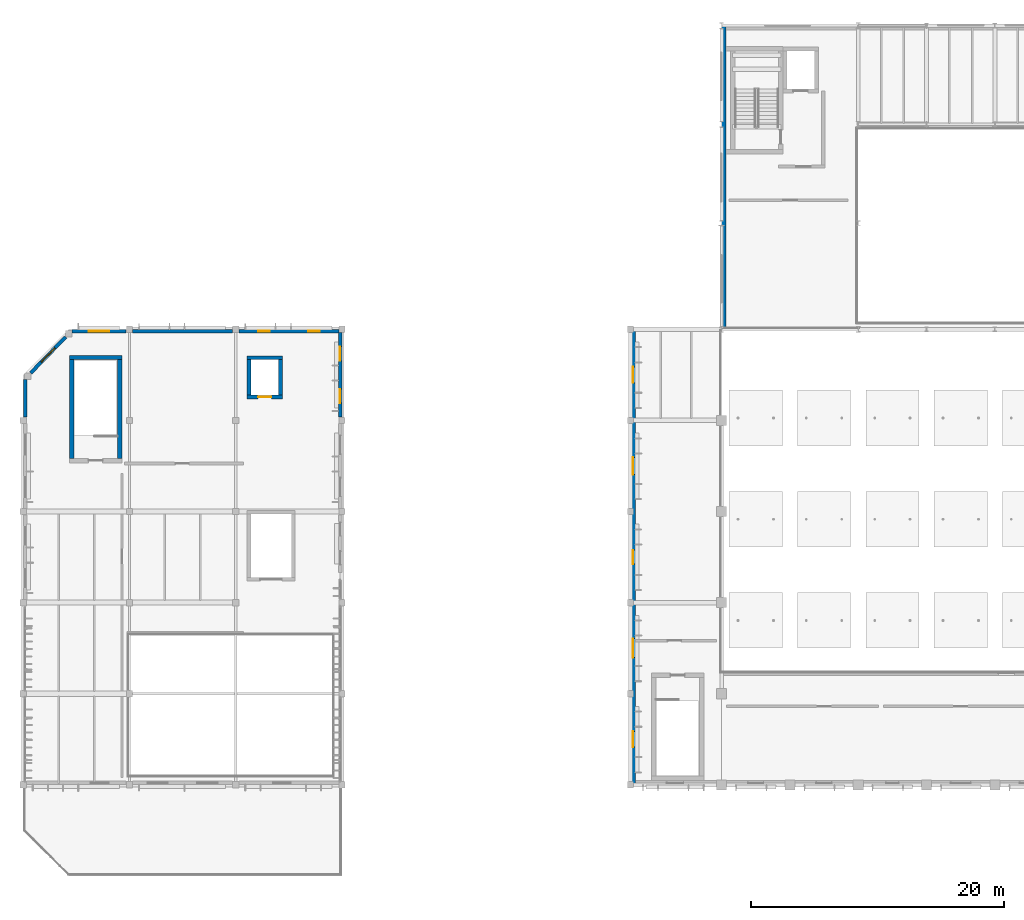
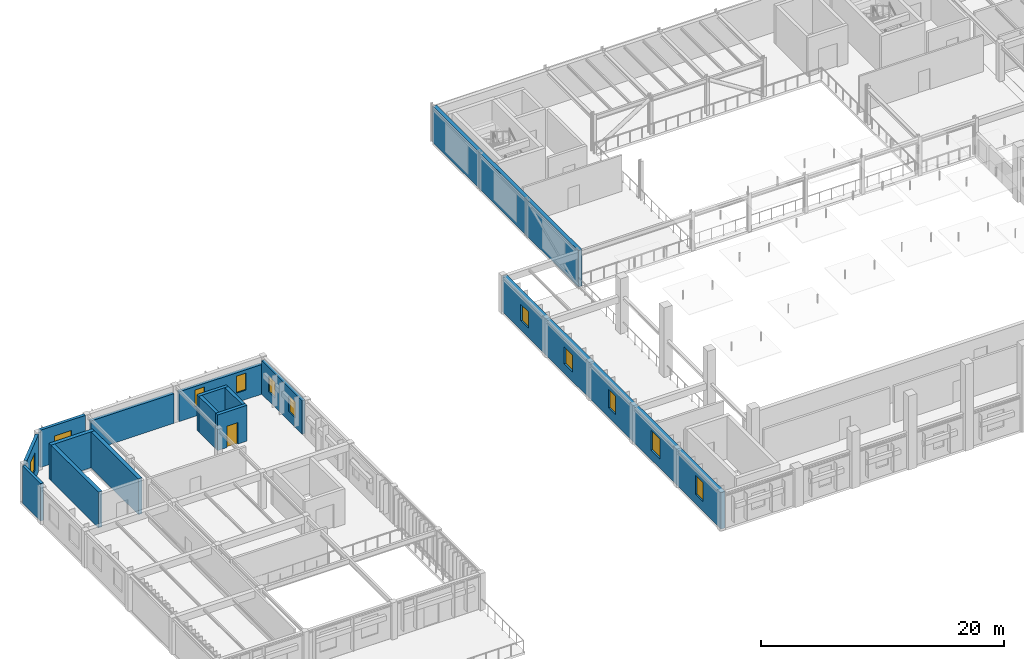
# One storey, part 20 of 44: 15 walls, 11 windows, 1 door, 12 openings.
"""IFC4 building model written with IfcOpenShell, lengths in metres."""

from ifc_helpers import new_model, si_unit, direction, frame, frame_2d, origin, place, context, subcontext, project, spatial, rectangle, extrude, material, layer, layer_set, type_object, element, fill, save


model = new_model("IFC4")

# Units and contexts
model_context = context("Model", 3, precision=1e-05, world=origin(), true_north=direction((0.0, 1.0)))
body_context = subcontext(model_context, "Body", "Model", "MODEL_VIEW")
ifc_project = project(units=[si_unit("LENGTHUNIT", "METRE"), si_unit("AREAUNIT", "SQUARE_METRE"), si_unit("VOLUMEUNIT", "CUBIC_METRE"), si_unit("PLANEANGLEUNIT", "RADIAN"), si_unit("MASSUNIT", "GRAM", prefix="KILO")], contexts=[model_context])

# Site, building, storey
site_placement = place(None, origin())
site = spatial("IfcSite", under=ifc_project, at=site_placement, CompositionType="ELEMENT")
building_placement = place(site_placement, origin())
building = spatial("IfcBuilding", under=site, at=building_placement, Name="Tazoul Stagehouse", CompositionType="ELEMENT")
storey_placement = place(building_placement, frame((0.0, 0.0, 13.199951171875)))
storey = spatial("IfcBuildingStorey", under=building, at=storey_placement, Name="L03", CompositionType="ELEMENT", Elevation=13.199951171875)

# Wall
ifc_material_1 = material(Name="Ochre Fired Clay Facing Brick Masonry", Category="masonry")
ifc_layer_1 = layer(ifc_material_1, 0.360107421875, Name="Ochre Fired Clay Facing Brick Masonry")
ifc_layer_set_1 = layer_set([ifc_layer_1], Name="Ochre Fired Clay Facing Brick Masonry")
wall_type_1 = type_object("IfcWallType", Name="Acoustic Stagehouse Masonry-Concrete Cavity Wall 360", PredefinedType="SOLIDWALL", material=ifc_layer_set_1)
wall_1_placement = place(storey_placement, frame((57.780029296875, 87.800048828125, 0.0), z_axis=(0.0, 0.0, 1.0), x_axis=(0.0, 1.0, 0.0)))
element("IfcWall", 1, at=wall_1_placement, inside=storey, type_object=wall_type_1, Name="L03 Wall EW-360 (WALL-V2-W-L03-S1)", PredefinedType="SOLIDWALL", context=body_context, shape_type="SweptSolid", body=[
    extrude(rectangle(XDim=24.0, YDim=0.360107421875, at=frame_2d((12.0, 0.0))), origin(), (0.0, 0.0, 1.0), 3.650146484375),
])

# Wall, openings, windows
ifc_material_2 = material(Name="Concrete C40/50", Category="concrete")
ifc_layer_2 = layer(ifc_material_2, 0.3798828125, Name="Concrete C40/50")
ifc_layer_set_2 = layer_set([ifc_layer_2], Name="Concrete C40/50")
wall_type_2 = type_object("IfcWallType", Name="Auditorium Shell Acoustic Perimeter Wall 380", PredefinedType="SOLIDWALL", material=ifc_layer_set_2)
wall_2_placement = place(storey_placement, frame((50.590087890625, 51.800048828125, 0.0), z_axis=(0.0, 0.0, 1.0), x_axis=(0.0, 1.0, 0.0)))
wall_2 = element("IfcWall", 2, at=wall_2_placement, inside=storey, type_object=wall_type_2, Name="L03 Wall EW-380 (WALL-V1-W-L03-S1)", PredefinedType="SOLIDWALL", context=body_context, shape_type="SweptSolid", body=[
    extrude(rectangle(XDim=36.0, YDim=0.3798828125, at=frame_2d((18.0, 0.0))), origin(), (0.0, 0.0, 1.0), 3.650146484375),
])
opening_1_placement = place(wall_2_placement, frame((2.97509765625, 0.0, 0.949951171875)))
opening_1 = element("IfcOpeningElement", 3, at=opening_1_placement, cuts=wall_2, Name="Opening WN-28", PredefinedType="OPENING", context=body_context, shape_type="SweptSolid", body=[
    extrude(rectangle(XDim=1.25, YDim=1.89990234375, at=frame_2d((0.625, 0.949951171875))), frame((0.0, 0.2099609375, 0.0), z_axis=(0.0, -1.0, 0.0), x_axis=(1.0, 0.0, 0.0)), (0.0, 0.0, 1.0), 0.419921875),
])
opening_2_placement = place(wall_2_placement, frame((10.050048828125, 0.0, 0.949951171875)))
opening_2 = element("IfcOpeningElement", 4, at=opening_2_placement, cuts=wall_2, Name="Opening WN-78", PredefinedType="OPENING", context=body_context, shape_type="SweptSolid", body=[
    extrude(rectangle(XDim=1.5, YDim=2.0, at=frame_2d((0.75, 1.0))), frame((0.0, 0.2099609375, 0.0), z_axis=(0.0, -1.0, 0.0), x_axis=(1.0, 0.0, 0.0)), (0.0, 0.0, 1.0), 0.419921875),
])
opening_3_placement = place(wall_2_placement, frame((17.445068359375, 0.0, 0.949951171875)))
opening_3 = element("IfcOpeningElement", 5, at=opening_3_placement, cuts=wall_2, Name="Opening WN-65", PredefinedType="OPENING", context=body_context, shape_type="SweptSolid", body=[
    extrude(rectangle(XDim=1.110107421875, YDim=1.85009765625, at=frame_2d((0.55517578125, 0.925048828125))), frame((0.0, 0.2099609375, 0.0), z_axis=(0.0, -1.0, 0.0), x_axis=(1.0, 0.0, 0.0)), (0.0, 0.0, 1.0), 0.419921875),
])
opening_4_placement = place(wall_2_placement, frame((24.52490234375, 0.0, 0.949951171875)))
opening_4 = element("IfcOpeningElement", 6, at=opening_4_placement, cuts=wall_2, Name="Opening WN-48", PredefinedType="OPENING", context=body_context, shape_type="SweptSolid", body=[
    extrude(rectangle(XDim=1.35009765625, YDim=1.699951171875, at=frame_2d((0.675048828125, 0.85009765625))), frame((0.0, 0.2099609375, 0.0), z_axis=(0.0, -1.0, 0.0), x_axis=(1.0, 0.0, 0.0)), (0.0, 0.0, 1.0), 0.419921875),
])
opening_5_placement = place(wall_2_placement, frame((31.77001953125, 0.0, 0.949951171875)))
opening_5 = element("IfcOpeningElement", 7, at=opening_5_placement, cuts=wall_2, Name="Opening WN-45", PredefinedType="OPENING", context=body_context, shape_type="SweptSolid", body=[
    extrude(rectangle(XDim=1.260009765625, YDim=1.64990234375, at=frame_2d((0.6298828125, 0.824951171875))), frame((0.0, 0.2099609375, 0.0), z_axis=(0.0, -1.0, 0.0), x_axis=(1.0, 0.0, 0.0)), (0.0, 0.0, 1.0), 0.419921875),
])
ifc_material_3 = material(Name="Double Low-E Acoustic Laminated Glass", Category="glass")
window_type_1 = type_object("IfcWindowType", Name="Architectural Acoustic Facade Window 1110x1850", PartitioningType="SINGLE_PANEL", PredefinedType="WINDOW", material=ifc_material_3)
window_1_placement = place(opening_3_placement, origin())
window_1 = element("IfcWindow", 8, at=window_1_placement, inside=storey, type_object=window_type_1, Name="L03 Window WN-65 (WALL-V1-W-L03-S1-B3-W1)", OverallHeight=1.85009765625, OverallWidth=1.110107421875, PartitioningType="SINGLE_PANEL", PredefinedType="WINDOW", context=body_context, shape_type="SweptSolid", body=[
    extrude(rectangle(XDim=1.110107421875, YDim=1.85009765625, at=frame_2d((0.55517578125, 0.925048828125))), frame((0.0, 0.030029296875, 0.0), z_axis=(0.0, -1.0, 0.0), x_axis=(1.0, 0.0, 0.0)), (0.0, 0.0, 1.0), 0.06005859375),
])
fill(opening_3, window_1)
window_type_2 = type_object("IfcWindowType", Name="Architectural Acoustic Facade Window 1260x1650", PartitioningType="SINGLE_PANEL", PredefinedType="WINDOW", material=ifc_material_3)
window_2_placement = place(opening_5_placement, origin())
window_2 = element("IfcWindow", 9, at=window_2_placement, inside=storey, type_object=window_type_2, Name="L03 Window WN-45 (WALL-V1-W-L03-S1-B5-W1)", OverallHeight=1.64990234375, OverallWidth=1.260009765625, PartitioningType="SINGLE_PANEL", PredefinedType="WINDOW", context=body_context, shape_type="SweptSolid", body=[
    extrude(rectangle(XDim=1.260009765625, YDim=1.64990234375, at=frame_2d((0.6298828125, 0.824951171875))), frame((0.0, 0.030029296875, 0.0), z_axis=(0.0, -1.0, 0.0), x_axis=(1.0, 0.0, 0.0)), (0.0, 0.0, 1.0), 0.06005859375),
])
fill(opening_5, window_2)
window_type_3 = type_object("IfcWindowType", Name="Architectural Acoustic Facade Window 1350x1700", PartitioningType="SINGLE_PANEL", PredefinedType="WINDOW", material=ifc_material_3)
window_3_placement = place(opening_4_placement, origin())
window_3 = element("IfcWindow", 10, at=window_3_placement, inside=storey, type_object=window_type_3, Name="L03 Window WN-48 (WALL-V1-W-L03-S1-B4-W1)", OverallHeight=1.699951171875, OverallWidth=1.35009765625, PartitioningType="SINGLE_PANEL", PredefinedType="WINDOW", context=body_context, shape_type="SweptSolid", body=[
    extrude(rectangle(XDim=1.35009765625, YDim=1.699951171875, at=frame_2d((0.675048828125, 0.85009765625))), frame((0.0, 0.030029296875, 0.0), z_axis=(0.0, -1.0, 0.0), x_axis=(1.0, 0.0, 0.0)), (0.0, 0.0, 1.0), 0.06005859375),
])
fill(opening_4, window_3)
window_type_4 = type_object("IfcWindowType", Name="Architectural Acoustic Facade Window 1500x2000", PartitioningType="SINGLE_PANEL", PredefinedType="WINDOW", material=ifc_material_3)
window_4_placement = place(opening_2_placement, origin())
window_4 = element("IfcWindow", 11, at=window_4_placement, inside=storey, type_object=window_type_4, Name="L03 Window WN-78 (WALL-V1-W-L03-S1-B2-W1)", OverallHeight=2.0, OverallWidth=1.5, PartitioningType="SINGLE_PANEL", PredefinedType="WINDOW", context=body_context, shape_type="SweptSolid", body=[
    extrude(rectangle(XDim=1.5, YDim=2.0, at=frame_2d((0.75, 1.0))), frame((0.0, 0.030029296875, 0.0), z_axis=(0.0, -1.0, 0.0), x_axis=(1.0, 0.0, 0.0)), (0.0, 0.0, 1.0), 0.06005859375),
])
fill(opening_2, window_4)
window_type_5 = type_object("IfcWindowType", Name="Black-Box Studio Window 1250x1900", PartitioningType="SINGLE_PANEL", PredefinedType="WINDOW", material=ifc_material_3)
window_5_placement = place(opening_1_placement, origin())
window_5 = element("IfcWindow", 12, at=window_5_placement, inside=storey, type_object=window_type_5, Name="L03 Window WN-28 (WALL-V1-W-L03-S1-B1-W1)", OverallHeight=1.89990234375, OverallWidth=1.25, PartitioningType="SINGLE_PANEL", PredefinedType="WINDOW", context=body_context, shape_type="SweptSolid", body=[
    extrude(rectangle(XDim=1.25, YDim=1.89990234375, at=frame_2d((0.625, 0.949951171875))), frame((0.0, 0.030029296875, 0.0), z_axis=(0.0, -1.0, 0.0), x_axis=(1.0, 0.0, 0.0)), (0.0, 0.0, 1.0), 0.06005859375),
])
fill(opening_1, window_5)

# Walls
ifc_layer_3 = layer(ifc_material_2, 0.35009765625, Name="Concrete C40/50")
ifc_layer_set_3 = layer_set([ifc_layer_3], Name="Concrete C40/50")
wall_type_3 = type_object("IfcWallType", Name="Core Shear Wall 350", PredefinedType="SOLIDWALL", material=ifc_layer_set_3)
wall_3_placement = place(storey_placement, frame((6.22509765625, 77.60009765625, 0.0), z_axis=(0.0, 0.0, 1.0), x_axis=(0.0, 1.0, 0.0)))
element("IfcWall", 13, at=wall_3_placement, inside=storey, type_object=wall_type_3, Name="L03 Core Wall CW-350 (SHF-ST-06-west)", PredefinedType="SOLIDWALL", context=body_context, shape_type="SweptSolid", body=[
    extrude(rectangle(XDim=7.7998046875, YDim=0.35009765625, at=frame_2d((3.89990234375, 0.0))), origin(), (0.0, 0.0, 1.0), 3.60009765625),
])
wall_4_placement = place(storey_placement, frame((6.050048828125, 85.574951171875, 0.0), z_axis=(0.0, 0.0, 1.0), x_axis=(1.0, 0.0, 0.0)))
element("IfcWall", 14, at=wall_4_placement, inside=storey, type_object=wall_type_3, Name="L03 Core Wall CW-350 (SHF-ST-06-north)", PredefinedType="SOLIDWALL", context=body_context, shape_type="SweptSolid", body=[
    extrude(rectangle(XDim=4.14990234375, YDim=0.35009765625, at=frame_2d((2.074951171875, 0.0))), origin(), (0.0, 0.0, 1.0), 3.60009765625),
])
wall_5_placement = place(storey_placement, frame((10.02490234375, 85.39990234375, 0.0), z_axis=(0.0, 0.0, 1.0), x_axis=(0.0, -1.0, 0.0)))
element("IfcWall", 15, at=wall_5_placement, inside=storey, type_object=wall_type_3, Name="L03 Core Wall CW-350 (SHF-ST-06-east)", PredefinedType="SOLIDWALL", context=body_context, shape_type="SweptSolid", body=[
    extrude(rectangle(XDim=7.7998046875, YDim=0.35009765625, at=frame_2d((3.89990234375, 0.0))), origin(), (0.0, 0.0, 1.0), 3.60009765625),
])
ifc_material_4 = material(Name="Precast concrete C40/50", Category="concrete")
ifc_layer_4 = layer(ifc_material_4, 0.280029296875, Name="Precast concrete C40/50")
ifc_layer_set_4 = layer_set([ifc_layer_4], Name="Precast concrete C40/50")
wall_type_4 = type_object("IfcWallType", Name="Insulated Precast Acoustic Cladding Wall 280", PredefinedType="SOLIDWALL", material=ifc_layer_set_4)
wall_6_placement = place(storey_placement, frame((2.550048828125, 80.85498046875, 0.0), z_axis=(0.0, 0.0, 1.0), x_axis=(0.0, 1.0, 0.0)))
element("IfcWall", 16, at=wall_6_placement, inside=storey, type_object=wall_type_4, Name="L03 Wall EW-280 (WALL-V6-W2-L03-S3)", PredefinedType="SOLIDWALL", context=body_context, shape_type="SweptSolid", body=[
    extrude(rectangle(XDim=2.989990234375, YDim=0.280029296875, at=frame_2d((1.4951171875, 0.0))), origin(), (0.0, 0.0, 1.0), 3.75),
])

# Wall, opening, window
wall_7_placement = place(storey_placement, frame((5.75048828125, 87.192626953125, 0.0), z_axis=(0.0, 0.0, 1.0), x_axis=(-0.696365862768, -0.71768696879, 0.0)))
wall_7 = element("IfcWall", 17, at=wall_7_placement, inside=storey, type_object=wall_type_4, Name="L03 Wall EW-280 (WALL-V6-NWCH-L03-S1)", PredefinedType="SOLIDWALL", context=body_context, shape_type="SweptSolid", body=[
    extrude(rectangle(XDim=3.950439453125, YDim=0.280029296875, at=frame_2d((1.97509765625, 0.0))), origin(), (0.0, 0.0, 1.0), 3.75),
])
opening_6_placement = place(wall_7_placement, frame((1.2001953125, 0.0, 0.949951171875)))
opening_6 = element("IfcOpeningElement", 18, at=opening_6_placement, cuts=wall_7, Name="Opening WN-29", PredefinedType="OPENING", context=body_context, shape_type="SweptSolid", body=[
    extrude(rectangle(XDim=1.550048828125, YDim=1.800048828125, at=frame_2d((0.77490234375, 0.89990234375))), frame((0.0, 0.159912109375, 0.0), z_axis=(0.0, -1.0, 0.0), x_axis=(1.0, 0.0, 0.0)), (0.0, 0.0, 1.0), 0.320068359375),
])
window_type_6 = type_object("IfcWindowType", Name="Black-Box Studio Window 1550x1800", PartitioningType="SINGLE_PANEL", PredefinedType="WINDOW", material=ifc_material_3)
window_6_placement = place(opening_6_placement, origin())
window_6 = element("IfcWindow", 19, at=window_6_placement, inside=storey, type_object=window_type_6, Name="L03 Window WN-29 (WALL-V6-NWCH-L03-S1-W1)", OverallHeight=1.800048828125, OverallWidth=1.550048828125, PartitioningType="SINGLE_PANEL", PredefinedType="WINDOW", context=body_context, shape_type="SweptSolid", body=[
    extrude(rectangle(XDim=1.550048828125, YDim=1.800048828125, at=frame_2d((0.77490234375, 0.89990234375))), frame((0.0, 0.030029296875, 0.0), z_axis=(0.0, -1.0, 0.0), x_axis=(1.0, 0.0, 0.0)), (0.0, 0.0, 1.0), 0.06005859375),
])
fill(opening_6, window_6)

wall_8_placement = place(storey_placement, frame((6.2548828125, 87.64990234375, 0.0), z_axis=(0.0, 0.0, 1.0), x_axis=(1.0, 0.0, 0.0)))
wall_8 = element("IfcWall", 20, at=wall_8_placement, inside=storey, type_object=wall_type_4, Name="L03 Wall EW-280 (WALL-V6-N-L03-S1)", PredefinedType="SOLIDWALL", context=body_context, shape_type="SweptSolid", body=[
    extrude(rectangle(XDim=4.2900390625, YDim=0.280029296875, at=frame_2d((2.14501953125, 0.0))), origin(), (0.0, 0.0, 1.0), 3.75),
])
opening_7_placement = place(wall_8_placement, frame((1.3349609375, 0.0, 0.949951171875)))
opening_7 = element("IfcOpeningElement", 21, at=opening_7_placement, cuts=wall_8, Name="Opening WN-57", PredefinedType="OPENING", context=body_context, shape_type="SweptSolid", body=[
    extrude(rectangle(XDim=1.6201171875, YDim=1.75, at=frame_2d((0.81005859375, 0.875))), frame((0.0, 0.159912109375, 0.0), z_axis=(0.0, -1.0, 0.0), x_axis=(1.0, 0.0, 0.0)), (0.0, 0.0, 1.0), 0.320068359375),
])
window_type_7 = type_object("IfcWindowType", Name="Architectural Acoustic Facade Window 1620x1750", PartitioningType="SINGLE_PANEL", PredefinedType="WINDOW", material=ifc_material_3)
window_7_placement = place(opening_7_placement, origin())
window_7 = element("IfcWindow", 22, at=window_7_placement, inside=storey, type_object=window_type_7, Name="L03 Window WN-57 (WALL-V6-N-L03-S1-W1)", OverallHeight=1.75, OverallWidth=1.6201171875, PartitioningType="SINGLE_PANEL", PredefinedType="WINDOW", context=body_context, shape_type="SweptSolid", body=[
    extrude(rectangle(XDim=1.6201171875, YDim=1.75, at=frame_2d((0.81005859375, 0.875))), frame((0.0, 0.030029296875, 0.0), z_axis=(0.0, -1.0, 0.0), x_axis=(1.0, 0.0, 0.0)), (0.0, 0.0, 1.0), 0.06005859375),
])
fill(opening_7, window_7)

# Wall
wall_9_placement = place(storey_placement, frame((11.054931640625, 87.64990234375, 0.0), z_axis=(0.0, 0.0, 1.0), x_axis=(1.0, 0.0, 0.0)))
element("IfcWall", 23, at=wall_9_placement, inside=storey, type_object=wall_type_4, Name="L03 Wall EW-280 (WALL-V6-N-L03-S2)", PredefinedType="SOLIDWALL", context=body_context, shape_type="SweptSolid", body=[
    extrude(rectangle(XDim=7.89013671875, YDim=0.280029296875, at=frame_2d((3.945068359375, 0.0))), origin(), (0.0, 0.0, 1.0), 2.9931640625),
])

# Wall, openings, windows
wall_10_placement = place(storey_placement, frame((19.455078125, 87.64990234375, 0.0), z_axis=(0.0, 0.0, 1.0), x_axis=(1.0, 0.0, 0.0)))
wall_10 = element("IfcWall", 24, at=wall_10_placement, inside=storey, type_object=wall_type_4, Name="L03 Wall EW-280 (WALL-V6-N-L03-S3)", PredefinedType="SOLIDWALL", context=body_context, shape_type="SweptSolid", body=[
    extrude(rectangle(XDim=7.889892578125, YDim=0.280029296875, at=frame_2d((3.94482421875, 0.0))), origin(), (0.0, 0.0, 1.0), 2.9931640625),
])
opening_8_placement = place(wall_10_placement, frame((1.5224609375, 0.0, 0.949951171875)))
opening_8 = element("IfcOpeningElement", 25, at=opening_8_placement, cuts=wall_10, Name="Opening WN-32", PredefinedType="OPENING", context=body_context, shape_type="SweptSolid", body=[
    extrude(rectangle(XDim=0.89990234375, YDim=1.699951171875, at=frame_2d((0.449951171875, 0.85009765625))), frame((0.0, 0.159912109375, 0.0), z_axis=(0.0, -1.0, 0.0), x_axis=(1.0, 0.0, 0.0)), (0.0, 0.0, 1.0), 0.320068359375),
])
opening_9_placement = place(wall_10_placement, frame((5.467529296875, 0.0, 0.949951171875)))
opening_9 = element("IfcOpeningElement", 26, at=opening_9_placement, cuts=wall_10, Name="Opening WN-32", PredefinedType="OPENING", context=body_context, shape_type="SweptSolid", body=[
    extrude(rectangle(XDim=0.89990234375, YDim=1.699951171875, at=frame_2d((0.449951171875, 0.85009765625))), frame((0.0, 0.159912109375, 0.0), z_axis=(0.0, -1.0, 0.0), x_axis=(1.0, 0.0, 0.0)), (0.0, 0.0, 1.0), 0.320068359375),
])
window_type_8 = type_object("IfcWindowType", Name="Auditorium Tympanum Slot Light 900x1700", PartitioningType="SINGLE_PANEL", PredefinedType="WINDOW", material=ifc_material_3)
window_8_placement = place(opening_8_placement, origin())
window_8 = element("IfcWindow", 27, at=window_8_placement, inside=storey, type_object=window_type_8, Name="L03 Window WN-32 (WALL-V6-N-L03-S3-W1)", OverallHeight=1.699951171875, OverallWidth=0.89990234375, PartitioningType="SINGLE_PANEL", PredefinedType="WINDOW", context=body_context, shape_type="SweptSolid", body=[
    extrude(rectangle(XDim=0.89990234375, YDim=1.699951171875, at=frame_2d((0.449951171875, 0.85009765625))), frame((0.0, 0.030029296875, 0.0), z_axis=(0.0, -1.0, 0.0), x_axis=(1.0, 0.0, 0.0)), (0.0, 0.0, 1.0), 0.06005859375),
])
fill(opening_8, window_8)
window_9_placement = place(opening_9_placement, origin())
window_9 = element("IfcWindow", 28, at=window_9_placement, inside=storey, type_object=window_type_8, Name="L03 Window WN-32 (WALL-V6-N-L03-S3-W2)", OverallHeight=1.699951171875, OverallWidth=0.89990234375, PartitioningType="SINGLE_PANEL", PredefinedType="WINDOW", context=body_context, shape_type="SweptSolid", body=[
    extrude(rectangle(XDim=0.89990234375, YDim=1.699951171875, at=frame_2d((0.449951171875, 0.85009765625))), frame((0.0, 0.030029296875, 0.0), z_axis=(0.0, -1.0, 0.0), x_axis=(1.0, 0.0, 0.0)), (0.0, 0.0, 1.0), 0.06005859375),
])
fill(opening_9, window_9)

wall_11_placement = place(storey_placement, frame((27.449951171875, 80.85498046875, 0.0), z_axis=(0.0, 0.0, 1.0), x_axis=(0.0, 1.0, 0.0)))
wall_11 = element("IfcWall", 29, at=wall_11_placement, inside=storey, type_object=wall_type_4, Name="L03 Wall EW-280 (WALL-V6-E2-L03-S3)", PredefinedType="SOLIDWALL", context=body_context, shape_type="SweptSolid", body=[
    extrude(rectangle(XDim=6.68994140625, YDim=0.280029296875, at=frame_2d((3.344970703125, 0.0))), origin(), (0.0, 0.0, 1.0), 3.373046875),
])
opening_10_placement = place(wall_11_placement, frame((1.117431640625, 0.0, 0.949951171875)))
opening_10 = element("IfcOpeningElement", 30, at=opening_10_placement, cuts=wall_11, Name="Opening WN-40", PredefinedType="OPENING", context=body_context, shape_type="SweptSolid", body=[
    extrude(rectangle(XDim=1.110107421875, YDim=1.60009765625, at=frame_2d((0.55517578125, 0.800048828125))), frame((0.0, 0.159912109375, 0.0), z_axis=(0.0, -1.0, 0.0), x_axis=(1.0, 0.0, 0.0)), (0.0, 0.0, 1.0), 0.320068359375),
])
opening_11_placement = place(wall_11_placement, frame((4.46240234375, 0.0, 0.949951171875)))
opening_11 = element("IfcOpeningElement", 31, at=opening_11_placement, cuts=wall_11, Name="Opening WN-40", PredefinedType="OPENING", context=body_context, shape_type="SweptSolid", body=[
    extrude(rectangle(XDim=1.110107421875, YDim=1.60009765625, at=frame_2d((0.55517578125, 0.800048828125))), frame((0.0, 0.159912109375, 0.0), z_axis=(0.0, -1.0, 0.0), x_axis=(1.0, 0.0, 0.0)), (0.0, 0.0, 1.0), 0.320068359375),
])
window_type_9 = type_object("IfcWindowType", Name="Architectural Acoustic Facade Window 1110x1600", PartitioningType="SINGLE_PANEL", PredefinedType="WINDOW", material=ifc_material_3)
window_10_placement = place(opening_10_placement, origin())
window_10 = element("IfcWindow", 32, at=window_10_placement, inside=storey, type_object=window_type_9, Name="L03 Window WN-40 (WALL-V6-E2-L03-S3-W1)", OverallHeight=1.60009765625, OverallWidth=1.110107421875, PartitioningType="SINGLE_PANEL", PredefinedType="WINDOW", context=body_context, shape_type="SweptSolid", body=[
    extrude(rectangle(XDim=1.110107421875, YDim=1.60009765625, at=frame_2d((0.55517578125, 0.800048828125))), frame((0.0, 0.030029296875, 0.0), z_axis=(0.0, -1.0, 0.0), x_axis=(1.0, 0.0, 0.0)), (0.0, 0.0, 1.0), 0.06005859375),
])
fill(opening_10, window_10)
window_11_placement = place(opening_11_placement, origin())
window_11 = element("IfcWindow", 33, at=window_11_placement, inside=storey, type_object=window_type_9, Name="L03 Window WN-40 (WALL-V6-E2-L03-S3-W2)", OverallHeight=1.60009765625, OverallWidth=1.110107421875, PartitioningType="SINGLE_PANEL", PredefinedType="WINDOW", context=body_context, shape_type="SweptSolid", body=[
    extrude(rectangle(XDim=1.110107421875, YDim=1.60009765625, at=frame_2d((0.55517578125, 0.800048828125))), frame((0.0, 0.030029296875, 0.0), z_axis=(0.0, -1.0, 0.0), x_axis=(1.0, 0.0, 0.0)), (0.0, 0.0, 1.0), 0.06005859375),
])
fill(opening_11, window_11)

# Wall, opening, door
ifc_layer_5 = layer(ifc_material_2, 0.300048828125, Name="Concrete C40/50")
ifc_layer_set_5 = layer_set([ifc_layer_5], Name="Concrete C40/50")
wall_type_5 = type_object("IfcWallType", Name="Lift Shaft Wall 300", PredefinedType="SOLIDWALL", material=ifc_layer_set_5)
wall_12_placement = place(storey_placement, frame((22.89990234375, 82.449951171875, 0.0), z_axis=(0.0, 0.0, 1.0), x_axis=(-1.0, 0.0, 0.0)))
wall_12 = element("IfcWall", 34, at=wall_12_placement, inside=storey, type_object=wall_type_5, Name="L03 Core Wall CW-300 (LSHF-PL-03-south)", PredefinedType="SOLIDWALL", context=body_context, shape_type="SweptSolid", body=[
    extrude(rectangle(XDim=2.7998046875, YDim=0.300048828125, at=frame_2d((1.39990234375, 0.0))), origin(), (0.0, 0.0, 1.0), 3.60009765625),
])
opening_12_placement = place(wall_12_placement, frame((0.875, 0.0, 0.0)))
opening_12 = element("IfcOpeningElement", 35, at=opening_12_placement, cuts=wall_12, Name="Opening LD-05", PredefinedType="OPENING", context=body_context, shape_type="SweptSolid", body=[
    extrude(rectangle(XDim=1.050048828125, YDim=2.14990234375, at=frame_2d((0.52490234375, 1.074951171875))), frame((0.0, 0.169921875, 0.0), z_axis=(0.0, -1.0, 0.0), x_axis=(1.0, 0.0, 0.0)), (0.0, 0.0, 1.0), 0.340087890625),
])
ifc_material_5 = material(Name="Powder-Coated Galvanised Acoustic Steel", Category="steel")
door_type = type_object("IfcDoorType", Name="West Lift Sliding Landing Door 1050x2150", OperationType="DOUBLE_DOOR_SLIDING", PredefinedType="DOOR", material=ifc_material_5)
door_placement = place(opening_12_placement, origin())
door = element("IfcDoor", 36, at=door_placement, inside=storey, type_object=door_type, Name="L03 Lift Landing Sliding Door LD-05 (PL-03)", OperationType="DOUBLE_DOOR_SLIDING", OverallHeight=2.14990234375, OverallWidth=1.050048828125, PredefinedType="DOOR", context=body_context, shape_type="SweptSolid", body=[
    extrude(rectangle(XDim=1.050048828125, YDim=2.14990234375, at=frame_2d((0.52490234375, 1.074951171875))), frame((0.0, 0.02490234375, 0.0), z_axis=(0.0, -1.0, 0.0), x_axis=(1.0, 0.0, 0.0)), (0.0, 0.0, 1.0), 0.050048828125),
])
fill(opening_12, door)

# Walls
for number, where, z_axis, x_axis, name in (
    (37, (20.25, 82.60009765625, 0.0), (0.0, 0.0, 1.0), (0.0, 1.0, 0.0), "L03 Core Wall CW-300 (LSHF-PL-03-west)"),
    (38, (20.10009765625, 85.550048828125, 0.0), (0.0, 0.0, 1.0), (1.0, 0.0, 0.0), "L03 Core Wall CW-300 (LSHF-PL-03-north)"),
    (39, (22.75, 85.39990234375, 0.0), (0.0, 0.0, 1.0), (0.0, -1.0, 0.0), "L03 Core Wall CW-300 (LSHF-PL-03-east)"),
):
    element("IfcWall", number, at=place(storey_placement, frame(where, z_axis=z_axis, x_axis=x_axis)), inside=storey, type_object=wall_type_5, Name=name, PredefinedType="SOLIDWALL", context=body_context, shape_type="SweptSolid", body=[
        extrude(rectangle(XDim=2.7998046875, YDim=0.300048828125, at=frame_2d((1.39990234375, 0.0))), origin(), (0.0, 0.0, 1.0), 3.60009765625),
    ])

save(model, "model.ifc")
